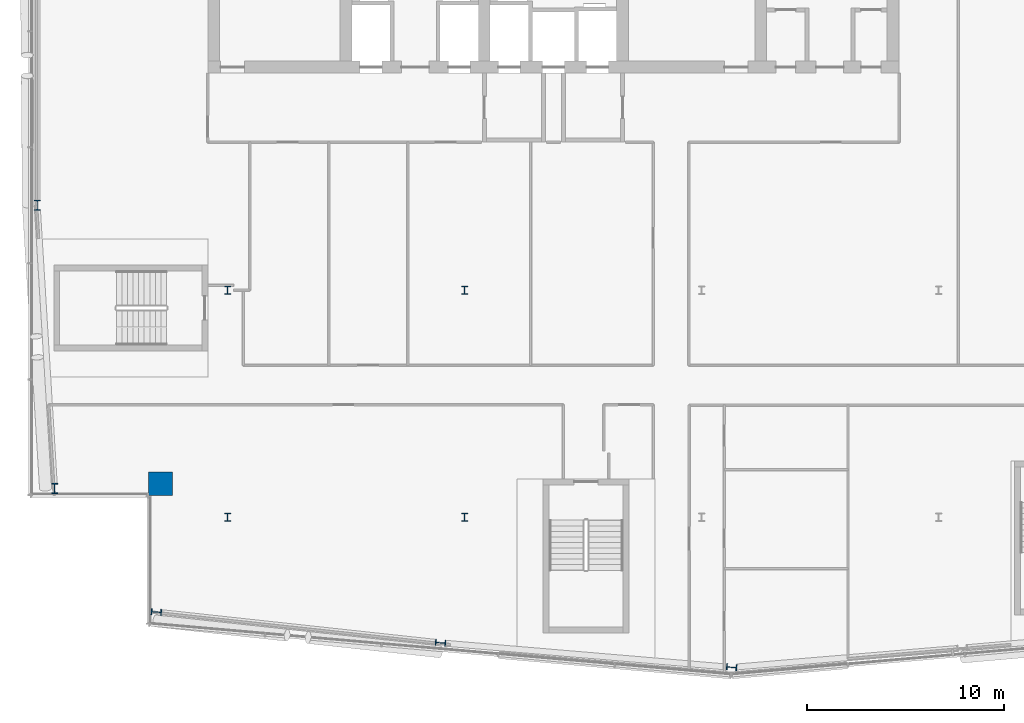
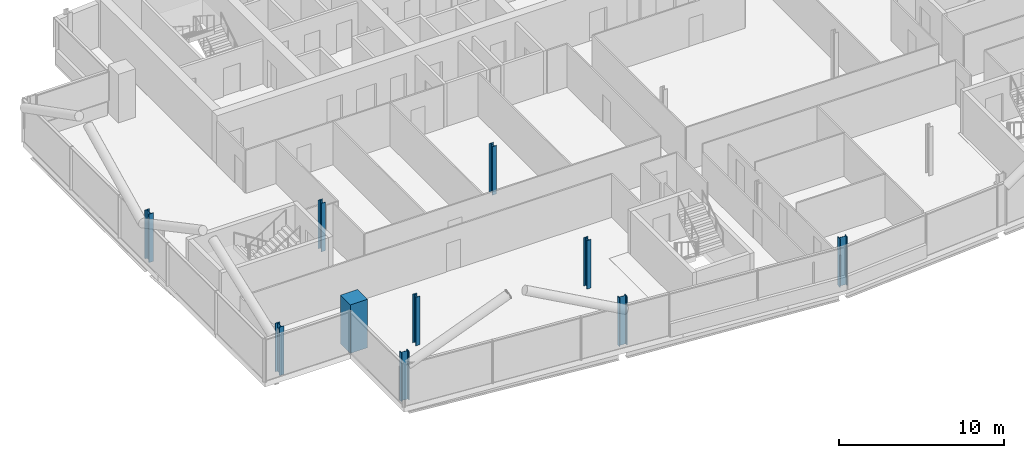
# One storey, part 1 of 26: 10 columns.
"""IFC4 building model written with IfcOpenShell, lengths in metres."""

from ifc_helpers import new_model, si_unit, direction, frame, origin, origin_2d, place, context, subcontext, project, spatial, rectangle, i_section, extrude, material, material_profile, profile_set, type_object, element, save


model = new_model("IFC4")

# Units and contexts
model_context = context("Model", 3, precision=1e-05, world=origin(), true_north=direction((0.0, 1.0)))
body_context = subcontext(model_context, "Body", "Model", "MODEL_VIEW")
ifc_project = project(units=[si_unit("LENGTHUNIT", "METRE"), si_unit("AREAUNIT", "SQUARE_METRE"), si_unit("VOLUMEUNIT", "CUBIC_METRE"), si_unit("PLANEANGLEUNIT", "RADIAN"), si_unit("MASSUNIT", "GRAM", prefix="KILO")], contexts=[model_context])

# Site, building, storey
site_placement = place(None, origin())
site = spatial("IfcSite", under=ifc_project, at=site_placement, CompositionType="ELEMENT")
building_placement = place(site_placement, origin())
building = spatial("IfcBuilding", under=site, at=building_placement, Name="Wharfspan Tower", CompositionType="ELEMENT")
storey_placement = place(building_placement, frame((0.0, 0.0, 217.899902)))
storey = spatial("IfcBuildingStorey", under=building, at=storey_placement, Name="L54", CompositionType="ELEMENT", Elevation=217.899902)

# Columns
ifc_material_1 = material(Name="Steel S355J2", Category="steel")
ifc_material_profile_1 = material_profile(ifc_material_1, i_section(OverallWidth=0.300049, OverallDepth=0.399902, WebThickness=0.013428, FlangeThickness=0.023926, FilletRadius=0.0271, at=origin_2d()))
ifc_profile_set_1 = profile_set([ifc_material_profile_1], Name="Steel S355J2")
column_type_1 = type_object("IfcColumnType", Name="Column HEB 400", PredefinedType="COLUMN", material=ifc_profile_set_1)
for number, where, z_axis, x_axis, name in (
    (1, (24.0, 11.5, 0.0), (0.0, 0.0, 1.0), (1.0, 0.0, 0.0), "Interior column I.1.1 L54"),
    (2, (36.0, 11.5, 0.0), (0.0, 0.0, 1.0), (1.0, 0.0, 0.0), "Interior column I.1.2 L54"),
    (3, (24.0, 23.0, 0.0), (0.0, 0.0, 1.0), (1.0, 0.0, 0.0), "Interior column I.2.1 L54"),
    (4, (36.0, 23.0, 0.0), (0.0, 0.0, 1.0), (1.0, 0.0, 0.0), "Interior column I.2.2 L54"),
):
    element("IfcColumn", number, at=place(storey_placement, frame(where, z_axis=z_axis, x_axis=x_axis)), inside=storey, type_object=column_type_1, Name=name, PredefinedType="COLUMN", context=body_context, shape_type="SweptSolid", body=[
        extrude(i_section(OverallWidth=0.300049, OverallDepth=0.399902, WebThickness=0.013428, FlangeThickness=0.023926, FilletRadius=0.0271, at=origin_2d()), origin(), (0.0, 0.0, 1.0), 3.600098),
    ])
ifc_material_profile_2 = material_profile(ifc_material_1, i_section(OverallWidth=0.305908, OverallDepth=0.523926, WebThickness=0.020996, FlangeThickness=0.040039, FilletRadius=0.0271, at=origin_2d()))
ifc_profile_set_2 = profile_set([ifc_material_profile_2], Name="Steel S355J2")
column_type_2 = type_object("IfcColumnType", Name="Column HEM 500", PredefinedType="COLUMN", material=ifc_profile_set_2)
for number, where, z_axis, x_axis, name in (
    (5, (20.392334, 6.702637, 0.0), (0.0, 0.0, 1.0), (-0.087156, -0.996197, 0.0), "Perimeter column PS1.1 L54"),
    (6, (34.781494, 5.143311, 0.0), (0.0, 0.0, 1.0), (-0.087156, -0.996197, 0.0), "Perimeter column PS1.2 L54"),
    (7, (49.522949, 3.9021, 0.0), (0.0, 0.0, 1.0), (-0.087156, -0.996197, 0.0), "Perimeter column PS1.3 L54"),
    (8, (14.360107, 27.300049, 0.0), (0.0, 0.0, 1.0), (-1.0, 0.0, 0.0), "Perimeter column PW.1 L54"),
    (9, (15.237793, 12.963379, 0.0), (0.0, 0.0, 1.0), (-1.0, 0.0, 0.0), "Perimeter column PW.2 L54"),
):
    element("IfcColumn", number, at=place(storey_placement, frame(where, z_axis=z_axis, x_axis=x_axis)), inside=storey, type_object=column_type_2, Name=name, PredefinedType="COLUMN", context=body_context, shape_type="SweptSolid", body=[
        extrude(i_section(OverallWidth=0.305908, OverallDepth=0.523926, WebThickness=0.020996, FlangeThickness=0.040039, FilletRadius=0.0271, at=origin_2d()), origin(), (0.0, 0.0, 1.0), 3.600098),
    ])
ifc_material_2 = material(Name="Concrete C50/60", Category="concrete")
ifc_material_profile_3 = material_profile(ifc_material_2, rectangle(XDim=1.199951, YDim=1.199951, at=origin_2d()))
ifc_profile_set_3 = profile_set([ifc_material_profile_3], Name="Concrete C50/60")
column_type_3 = type_object("IfcColumnType", Name="Mega column 1200 C50/60", PredefinedType="COLUMN", material=ifc_profile_set_3)
column_placement = place(storey_placement, frame((20.600098, 13.199951, 0.0), z_axis=(0.0, 0.0, 1.0), x_axis=(1.0, 0.0, 0.0)))
element("IfcColumn", 10, at=column_placement, inside=storey, type_object=column_type_3, Name="Mega column MC1 L54", PredefinedType="COLUMN", context=body_context, shape_type="SweptSolid", body=[
    extrude(rectangle(XDim=1.199951, YDim=1.199951, at=origin_2d()), origin(), (0.0, 0.0, 1.0), 3.600098),
])

save(model, "model.ifc")
